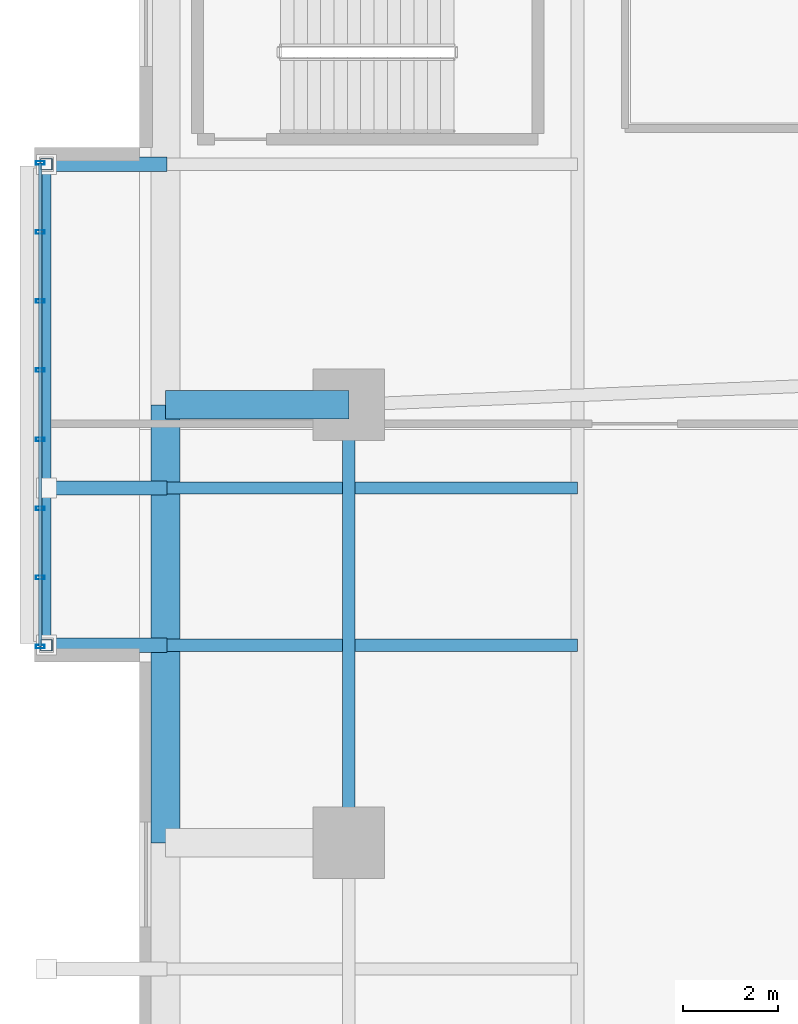
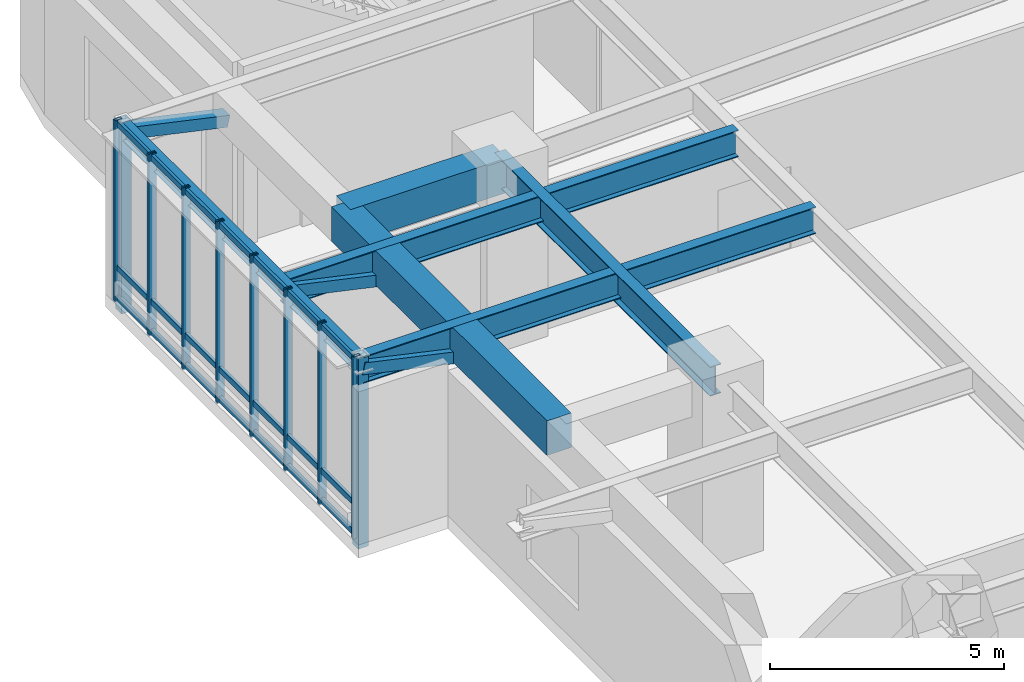
# One storey, part 5 of 23: 16 members, 6 beams, 1 element without a shape of its own.
"""IFC4 building model written with IfcOpenShell, lengths in metres."""

from ifc_helpers import new_model, si_unit, direction, frame, origin, origin_2d, place, context, subcontext, project, spatial, rectangle, hollow_rectangle, i_section, extrude, material, material_profile, profile_set, type_object, element, aggregate, save


model = new_model("IFC4")

# Units and contexts
model_context = context("Model", 3, precision=1e-05, world=origin(), true_north=direction((0.0, 1.0)))
body_context = subcontext(model_context, "Body", "Model", "MODEL_VIEW")
ifc_project = project(units=[si_unit("LENGTHUNIT", "METRE"), si_unit("AREAUNIT", "SQUARE_METRE"), si_unit("VOLUMEUNIT", "CUBIC_METRE"), si_unit("PLANEANGLEUNIT", "RADIAN"), si_unit("MASSUNIT", "GRAM", prefix="KILO")], contexts=[model_context])

# Site, building, storey
site_placement = place(None, origin())
site = spatial("IfcSite", under=ifc_project, at=site_placement, CompositionType="ELEMENT")
building_placement = place(site_placement, origin())
building = spatial("IfcBuilding", under=site, at=building_placement, Name="Zulverin Broadcast Headquarters", CompositionType="ELEMENT")
storey_placement = place(building_placement, frame((0.0, 0.0, 10.0)))
storey = spatial("IfcBuildingStorey", under=building, at=storey_placement, Name="L02", CompositionType="ELEMENT", Elevation=10.0)

# Beams
ifc_material_1 = material(Name="Concrete C40/50", Category="concrete")
ifc_material_profile_1 = material_profile(ifc_material_1, rectangle(XDim=0.60009765625, YDim=0.89990234375, at=origin_2d()), Name="Concrete C40/50", Category="concrete")
ifc_profile_set_1 = profile_set([ifc_material_profile_1], Name="Concrete C40/50")
beam_type_1 = type_object("IfcBeamType", Name="BM-RC-600x900", PredefinedType="BEAM", material=ifc_profile_set_1)
beam_1_placement = place(storey_placement, frame((4.39990234375, 34.39990234375, 4.22998046875), z_axis=(-1.0, 0.0, 0.0), x_axis=(0.0, -1.0, 0.0)))
element("IfcBeam", 1, at=beam_1_placement, inside=storey, type_object=beam_type_1, Name="L02 West Perimeter Bracket Girder WBR-3", PredefinedType="BEAM", context=body_context, shape_type="SweptSolid", body=[
    extrude(rectangle(XDim=0.60009765625, YDim=0.89990234375, at=origin_2d()), origin(), (0.0, 0.0, 1.0), 3.849853515625),
])
beam_2_placement = place(storey_placement, frame((0.550048828125, 25.199951171875, 4.22998046875), z_axis=(0.0, 1.0, 0.0), x_axis=(-1.0, 0.0, 0.0)))
element("IfcBeam", 2, at=beam_2_placement, inside=storey, type_object=beam_type_1, Name="L02 West Edge Spandrel Girder WEG-2", PredefinedType="BEAM", context=body_context, shape_type="SweptSolid", body=[
    extrude(rectangle(XDim=0.60009765625, YDim=0.89990234375, at=origin_2d()), origin(), (0.0, 0.0, 1.0), 9.199951171875),
])
ifc_material_2 = material(Name="Structural steel S355JR", Category="steel")
ifc_material_profile_2 = material_profile(ifc_material_2, i_section(OverallWidth=0.19287109375, OverallDepth=0.46728515625, WebThickness=0.011474609375, FlangeThickness=0.01953125, at=origin_2d()), Name="Structural steel S355JR", Category="steel")
ifc_profile_set_2 = profile_set([ifc_material_profile_2], Name="Structural steel S355JR")
beam_type_2 = type_object("IfcBeamType", Name="BM-UB-457", PredefinedType="JOIST", material=ifc_profile_set_2)
beam_3_placement = place(storey_placement, frame((-1.949951171875, 29.35009765625, 4.4462890625), z_axis=(0.0, 1.0, 0.0), x_axis=(-1.0, 0.0, 0.0)))
element("IfcBeam", 3, at=beam_3_placement, inside=storey, type_object=beam_type_2, Name="L02 Studio Box Edge Beam SBOX_POD_LOWER_W1", PredefinedType="JOIST", context=body_context, shape_type="SweptSolid", body=[
    extrude(i_section(OverallWidth=0.19287109375, OverallDepth=0.46728515625, WebThickness=0.011474609375, FlangeThickness=0.01953125, at=origin_2d()), origin(), (0.0, 0.0, 1.0), 10.099853515625),
])
ifc_material_profile_3 = material_profile(ifc_material_2, i_section(OverallWidth=0.255859375, OverallDepth=0.69287109375, WebThickness=0.014404296875, FlangeThickness=0.023681640625, at=origin_2d()), Name="Structural steel S355JR", Category="steel")
ifc_profile_set_3 = profile_set([ifc_material_profile_3], Name="Structural steel S355JR")
beam_type_3 = type_object("IfcBeamType", Name="BM-UB-686", PredefinedType="BEAM", material=ifc_profile_set_3)
for number, where, z_axis, x_axis, name in (
    (4, (9.199951171875, 29.35009765625, 4.33349609375), (-1.0, 0.0, 0.0), (0.0, -1.0, 0.0), "L02 Studio Box Cantilever Girder SBOX_POD_LOWER_W1-1"),
    (5, (9.199951171875, 32.64990234375, 4.33349609375), (-1.0, 0.0, 0.0), (0.0, -1.0, 0.0), "L03 Studio Box Base Cantilever Girder SBOX_POD_UPPER_W1-2"),
):
    element("IfcBeam", number, at=place(storey_placement, frame(where, z_axis=z_axis, x_axis=x_axis)), inside=storey, type_object=beam_type_3, Name=name, PredefinedType="BEAM", context=body_context, shape_type="SweptSolid", body=[
        extrude(i_section(OverallWidth=0.255859375, OverallDepth=0.69287109375, WebThickness=0.014404296875, FlangeThickness=0.023681640625, at=origin_2d()), origin(), (0.0, 0.0, 1.0), 11.14990234375),
    ])
ifc_material_profile_4 = material_profile(ifc_material_2, i_section(OverallWidth=0.26806640625, OverallDepth=0.769775390625, WebThickness=0.015625, FlangeThickness=0.025390625, at=origin_2d()), Name="Structural steel S355JR", Category="steel")
ifc_profile_set_4 = profile_set([ifc_material_profile_4], Name="Structural steel S355JR")
beam_type_4 = type_object("IfcBeamType", Name="BM-UB-762", PredefinedType="BEAM", material=ifc_profile_set_4)
beam_4_placement = place(storey_placement, frame((4.39990234375, 34.39990234375, 4.295166015625), z_axis=(0.0, -1.0, 0.0), x_axis=(1.0, 0.0, 0.0)))
element("IfcBeam", 6, at=beam_4_placement, inside=storey, type_object=beam_type_4, Name="L02 Podium Primary Girder P13-P12", PredefinedType="BEAM", context=body_context, shape_type="SweptSolid", body=[
    extrude(i_section(OverallWidth=0.26806640625, OverallDepth=0.769775390625, WebThickness=0.015625, FlangeThickness=0.025390625, at=origin_2d()), origin(), (0.0, 0.0, 1.0), 9.199951171875),
])

# Curtain wall, members
ifc_material_3 = material(Name="Acoustic triple-glazed studio box curtain wall", Category="aluminium")
curtain_wall_type = type_object("IfcCurtainWallType", Name="CW-SBOX", PredefinedType="USERDEFINED", material=ifc_material_3)
curtain_wall_placement = place(storey_placement, origin())
curtain_wall = element("IfcCurtainWall", 7, at=curtain_wall_placement, inside=storey, type_object=curtain_wall_type, Name="L02 Unitised Curtain Wall CW-L02-SBOX_POD_LOWER_W1-F", ObjectType="UNITISED CURTAIN WALL", PredefinedType="USERDEFINED")
ifc_material_4 = material(Name="Anodized pale-metal aluminium alloy 6063-T6", Category="aluminium")
ifc_material_profile_5 = material_profile(ifc_material_4, hollow_rectangle(XDim=0.074951171875, YDim=0.179931640625, WallThickness=0.0048828125, at=origin_2d()), Name="Anodized pale-metal aluminium alloy 6063-T6", Category="aluminium")
ifc_profile_set_5 = profile_set([ifc_material_profile_5], Name="Anodized pale-metal aluminium alloy 6063-T6")
member_type_1 = type_object("IfcMemberType", Name="CW-MUL-180", PredefinedType="MULLION", material=ifc_profile_set_5)
member_1_placement = place(storey_placement, frame((-2.080078125, 39.47998046875, -0.030029296875), z_axis=(0.0, 0.0, 1.0), x_axis=(0.0, -1.0, 0.0)))
member_1 = element("IfcMember", 8, at=member_1_placement, type_object=member_type_1, Name="CW-L02-SBOX_POD_LOWER_W1-F Mullion 00", PredefinedType="MULLION", context=body_context, shape_type="SweptSolid", body=[
    extrude(hollow_rectangle(XDim=0.074951171875, YDim=0.179931640625, WallThickness=0.0048828125, at=origin_2d()), origin(), (0.0, 0.0, 1.0), 4.739990234375),
])
member_2_placement = place(storey_placement, frame((-2.080078125, 38.028564453125, -0.030029296875), z_axis=(0.0, 0.0, 1.0), x_axis=(0.0, -1.0, 0.0)))
member_2 = element("IfcMember", 9, at=member_2_placement, type_object=member_type_1, Name="CW-L02-SBOX_POD_LOWER_W1-F Mullion 01", PredefinedType="MULLION", context=body_context, shape_type="SweptSolid", body=[
    extrude(hollow_rectangle(XDim=0.074951171875, YDim=0.179931640625, WallThickness=0.0048828125, at=origin_2d()), origin(), (0.0, 0.0, 1.0), 4.739990234375),
])
member_3_placement = place(storey_placement, frame((-2.080078125, 36.5771484375, -0.030029296875), z_axis=(0.0, 0.0, 1.0), x_axis=(0.0, -1.0, 0.0)))
member_3 = element("IfcMember", 10, at=member_3_placement, type_object=member_type_1, Name="CW-L02-SBOX_POD_LOWER_W1-F Mullion 02", PredefinedType="MULLION", context=body_context, shape_type="SweptSolid", body=[
    extrude(hollow_rectangle(XDim=0.074951171875, YDim=0.179931640625, WallThickness=0.0048828125, at=origin_2d()), origin(), (0.0, 0.0, 1.0), 4.739990234375),
])
member_4_placement = place(storey_placement, frame((-2.080078125, 35.125732421875, -0.030029296875), z_axis=(0.0, 0.0, 1.0), x_axis=(0.0, -1.0, 0.0)))
member_4 = element("IfcMember", 11, at=member_4_placement, type_object=member_type_1, Name="CW-L02-SBOX_POD_LOWER_W1-F Mullion 03", PredefinedType="MULLION", context=body_context, shape_type="SweptSolid", body=[
    extrude(hollow_rectangle(XDim=0.074951171875, YDim=0.179931640625, WallThickness=0.0048828125, at=origin_2d()), origin(), (0.0, 0.0, 1.0), 4.739990234375),
])
member_5_placement = place(storey_placement, frame((-2.080078125, 33.67431640625, -0.030029296875), z_axis=(0.0, 0.0, 1.0), x_axis=(0.0, -1.0, 0.0)))
member_5 = element("IfcMember", 12, at=member_5_placement, type_object=member_type_1, Name="CW-L02-SBOX_POD_LOWER_W1-F Mullion 04", PredefinedType="MULLION", context=body_context, shape_type="SweptSolid", body=[
    extrude(hollow_rectangle(XDim=0.074951171875, YDim=0.179931640625, WallThickness=0.0048828125, at=origin_2d()), origin(), (0.0, 0.0, 1.0), 4.739990234375),
])
member_6_placement = place(storey_placement, frame((-2.080078125, 32.222900390625, -0.030029296875), z_axis=(0.0, 0.0, 1.0), x_axis=(0.0, -1.0, 0.0)))
member_6 = element("IfcMember", 13, at=member_6_placement, type_object=member_type_1, Name="CW-L02-SBOX_POD_LOWER_W1-F Mullion 05", PredefinedType="MULLION", context=body_context, shape_type="SweptSolid", body=[
    extrude(hollow_rectangle(XDim=0.074951171875, YDim=0.179931640625, WallThickness=0.0048828125, at=origin_2d()), origin(), (0.0, 0.0, 1.0), 4.739990234375),
])
member_7_placement = place(storey_placement, frame((-2.080078125, 30.771484375, -0.030029296875), z_axis=(0.0, 0.0, 1.0), x_axis=(0.0, -1.0, 0.0)))
member_7 = element("IfcMember", 14, at=member_7_placement, type_object=member_type_1, Name="CW-L02-SBOX_POD_LOWER_W1-F Mullion 06", PredefinedType="MULLION", context=body_context, shape_type="SweptSolid", body=[
    extrude(hollow_rectangle(XDim=0.074951171875, YDim=0.179931640625, WallThickness=0.0048828125, at=origin_2d()), origin(), (0.0, 0.0, 1.0), 4.739990234375),
])
member_8_placement = place(storey_placement, frame((-2.080078125, 29.320068359375, -0.030029296875), z_axis=(0.0, 0.0, 1.0), x_axis=(0.0, -1.0, 0.0)))
member_8 = element("IfcMember", 15, at=member_8_placement, type_object=member_type_1, Name="CW-L02-SBOX_POD_LOWER_W1-F Mullion 07", PredefinedType="MULLION", context=body_context, shape_type="SweptSolid", body=[
    extrude(hollow_rectangle(XDim=0.074951171875, YDim=0.179931640625, WallThickness=0.0048828125, at=origin_2d()), origin(), (0.0, 0.0, 1.0), 4.739990234375),
])
ifc_material_profile_6 = material_profile(ifc_material_4, hollow_rectangle(XDim=0.074951171875, YDim=0.14990234375, WallThickness=0.0048828125, at=origin_2d()), Name="Anodized pale-metal aluminium alloy 6063-T6", Category="aluminium")
ifc_profile_set_6 = profile_set([ifc_material_profile_6], Name="Anodized pale-metal aluminium alloy 6063-T6")
member_type_2 = type_object("IfcMemberType", Name="CW-TRN-150", PredefinedType="USERDEFINED", material=ifc_profile_set_6)
member_9_placement = place(storey_placement, frame((-2.080078125, 39.47998046875, 0.074951171875), z_axis=(0.0, -1.0, 0.0), x_axis=(1.0, 0.0, 0.0)))
member_9 = element("IfcMember", 16, at=member_9_placement, type_object=member_type_2, Name="CW-L02-SBOX_POD_LOWER_W1-F Transom 0", ObjectType="TRANSOM", PredefinedType="USERDEFINED", context=body_context, shape_type="SweptSolid", body=[
    extrude(hollow_rectangle(XDim=0.074951171875, YDim=0.14990234375, WallThickness=0.0048828125, at=origin_2d()), origin(), (0.0, 0.0, 1.0), 10.159912109375),
])
member_10_placement = place(storey_placement, frame((-2.080078125, 39.47998046875, 0.85009765625), z_axis=(0.0, -1.0, 0.0), x_axis=(1.0, 0.0, 0.0)))
member_10 = element("IfcMember", 17, at=member_10_placement, type_object=member_type_2, Name="CW-L02-SBOX_POD_LOWER_W1-F Transom 1", ObjectType="TRANSOM", PredefinedType="USERDEFINED", context=body_context, shape_type="SweptSolid", body=[
    extrude(hollow_rectangle(XDim=0.074951171875, YDim=0.14990234375, WallThickness=0.0048828125, at=origin_2d()), origin(), (0.0, 0.0, 1.0), 10.159912109375),
])
member_11_placement = place(storey_placement, frame((-2.080078125, 39.47998046875, 4.60498046875), z_axis=(0.0, -1.0, 0.0), x_axis=(1.0, 0.0, 0.0)))
member_11 = element("IfcMember", 18, at=member_11_placement, type_object=member_type_2, Name="CW-L02-SBOX_POD_LOWER_W1-F Transom 2", ObjectType="TRANSOM", PredefinedType="USERDEFINED", context=body_context, shape_type="SweptSolid", body=[
    extrude(hollow_rectangle(XDim=0.074951171875, YDim=0.14990234375, WallThickness=0.0048828125, at=origin_2d()), origin(), (0.0, 0.0, 1.0), 10.159912109375),
])
aggregate(curtain_wall, [member_1, member_2, member_3, member_4, member_5, member_6, member_7, member_8, member_9, member_10, member_11])

# Members
ifc_material_profile_7 = material_profile(ifc_material_2, hollow_rectangle(XDim=0.300048828125, YDim=0.300048828125, WallThickness=0.01611328125, at=origin_2d()), Name="Structural steel S355JR", Category="steel")
ifc_profile_set_7 = profile_set([ifc_material_profile_7], Name="Structural steel S355JR")
member_type_3 = type_object("IfcMemberType", Name="MBR-BLT-DIAG1", PredefinedType="BRACE", material=ifc_profile_set_7)
for number, where, z_axis, x_axis, name in (
    (19, (0.550048828125, 29.35009765625, 3.830078125), (-0.976660475394, 0.0, 0.214789002987), (0.0, -1.0, 0.0), "L02 Studio Box Raking Knee Brace SBOX_POD_LOWER_W1-1"),
    (20, (0.550048828125, 39.449951171875, 3.830078125), (-0.976660475394, 0.0, 0.214789002987), (0.0, -1.0, 0.0), "L02 Studio Box Raking Knee Brace SBOX_POD_LOWER_W1-2"),
    (21, (0.550048828125, 32.64990234375, 3.830078125), (-0.976660475394, 0.0, 0.214789002987), (0.0, -1.0, 0.0), "L03 Studio Box Base Knee Brace SBOX_POD_UPPER_W1-2"),
):
    element("IfcMember", number, at=place(storey_placement, frame(where, z_axis=z_axis, x_axis=x_axis)), inside=storey, type_object=member_type_3, Name=name, PredefinedType="BRACE", context=body_context, shape_type="SweptSolid", body=[
        extrude(hollow_rectangle(XDim=0.300048828125, YDim=0.300048828125, WallThickness=0.01611328125, at=origin_2d()), origin(), (0.0, 0.0, 1.0), 2.559814453125),
    ])
ifc_material_profile_8 = material_profile(ifc_material_2, hollow_rectangle(XDim=0.25, YDim=0.25, WallThickness=0.01611328125, at=origin_2d()), Name="Structural steel S355JR", Category="steel")
ifc_profile_set_8 = profile_set([ifc_material_profile_8], Name="Structural steel S355JR")
member_type_4 = type_object("IfcMemberType", Name="MBR-BLT-POST", PredefinedType="POST", material=ifc_profile_set_8)
for number, where, z_axis, x_axis, name in (
    (22, (-1.949951171875, 29.35009765625, -0.2900390625), (0.0, 0.0, 1.0), (1.0, 0.0, 0.0), "L02 Shifted Studio Box Frame Post SBOX_POD_LOWER_W1-1"),
    (23, (-1.949951171875, 39.449951171875, -0.2900390625), (0.0, 0.0, 1.0), (1.0, 0.0, 0.0), "L02 Shifted Studio Box Frame Post SBOX_POD_LOWER_W1-2"),
):
    element("IfcMember", number, at=place(storey_placement, frame(where, z_axis=z_axis, x_axis=x_axis)), inside=storey, type_object=member_type_4, Name=name, PredefinedType="POST", context=body_context, shape_type="SweptSolid", body=[
        extrude(hollow_rectangle(XDim=0.25, YDim=0.25, WallThickness=0.01611328125, at=origin_2d()), origin(), (0.0, 0.0, 1.0), 4.969970703125),
    ])

save(model, "model.ifc")
